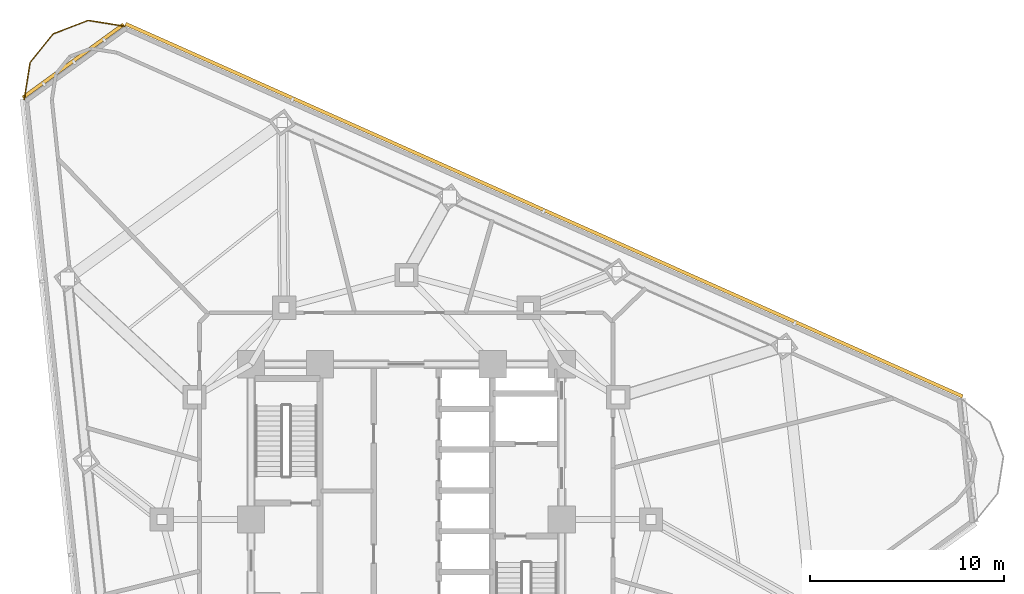
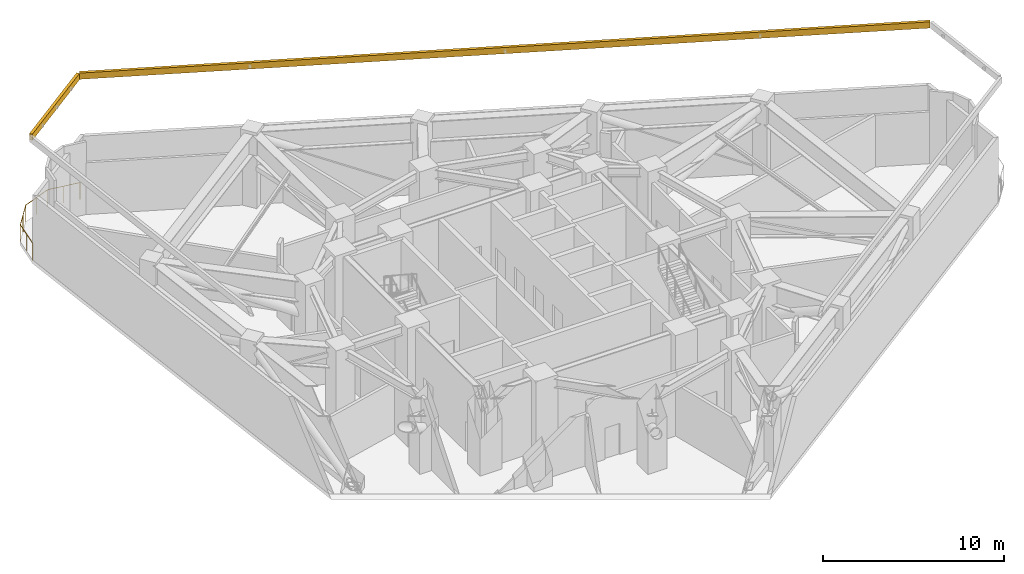
# One storey, part 10 of 10: 2 shading devices, 1 railing.
"""IFC4 building model written with IfcOpenShell, lengths in metres."""

from ifc_helpers import new_model, si_unit, direction, frame, origin, origin_2d, place, context, subcontext, project, spatial, rectangle, circle, extrude, material, layer, layer_set, type_object, element, save


model = new_model("IFC4")

# Units and contexts
model_context = context("Model", 3, precision=1e-05, world=origin(), true_north=direction((0.0, 1.0)))
body_context = subcontext(model_context, "Body", "Model", "MODEL_VIEW")
ifc_project = project(units=[si_unit("LENGTHUNIT", "METRE"), si_unit("AREAUNIT", "SQUARE_METRE"), si_unit("VOLUMEUNIT", "CUBIC_METRE"), si_unit("PLANEANGLEUNIT", "RADIAN"), si_unit("MASSUNIT", "GRAM", prefix="KILO")], contexts=[model_context])

# Site, building, storey
site_placement = place(None, origin())
site = spatial("IfcSite", under=ifc_project, at=site_placement, CompositionType="ELEMENT")
building_placement = place(site_placement, origin())
building = spatial("IfcBuilding", under=site, at=building_placement, Name="Terralouvre Media Tower", CompositionType="ELEMENT")
storey_placement = place(building_placement, frame((0.0, 0.0, 149.5)))
storey = spatial("IfcBuildingStorey", under=building, at=storey_placement, Name="L38", CompositionType="ELEMENT", Elevation=149.5)

# Shading devices
ifc_material_1 = material(Name="Extruded terracotta baguette sunshade louvres", Category="masonry")
shading_device_type = type_object("IfcShadingDeviceType", Name="Refuge Plant Acoustic Terracotta Louvre Grill TB-LV2", PredefinedType="JALOUSIE", material=ifc_material_1)
shading_device_1_placement = place(storey_placement, frame((7.095703125, 15.937255859375, 8.05810546875), z_axis=(0.0, 0.0, 1.0), x_axis=(-0.913545469547, 0.406736616337, 0.0)))
element("IfcShadingDevice", 1, at=shading_device_1_placement, inside=storey, type_object=shading_device_type, Name="CW-L38-F1 Refuge Acoustic Terracotta Louvre", PredefinedType="JALOUSIE", context=body_context, shape_type="SweptSolid", body=[
    extrude(rectangle(XDim=47.199951171875, YDim=0.179931640625, at=origin_2d()), origin(), (0.0, 0.0, 1.0), 0.419921875),
])
shading_device_2_placement = place(storey_placement, frame((-17.163818359375, 23.6240234375, 8.05810546875), z_axis=(0.0, 0.0, 1.0), x_axis=(-0.809017438344, -0.587784641221, 0.0)))
element("IfcShadingDevice", 2, at=shading_device_2_placement, inside=storey, type_object=shading_device_type, Name="CW-L38-C2 Refuge Acoustic Terracotta Louvre", PredefinedType="JALOUSIE", context=body_context, shape_type="SweptSolid", body=[
    extrude(rectangle(XDim=6.40869140625, YDim=0.179931640625, at=origin_2d()), origin(), (0.0, 0.0, 1.0), 0.419921875),
])

# Railing
ifc_material_2 = material(Name="Stainless steel 316 handrail and balustrade", Category="steel")
ifc_layer = layer(ifc_material_2, 0.06005859375, Name="Roof Edge Safety Guardrail GR-ROOF1")
ifc_layer_set = layer_set([ifc_layer], Name="Stainless steel 316 handrail and balustrade")
railing_type = type_object("IfcRailingType", Name="Roof Edge Safety Guardrail GR-ROOF1", PredefinedType="GUARDRAIL", material=ifc_layer_set)
railing_placement = place(storey_placement, frame((-14.50537109375, 25.41357421875, 0.0)))
element("IfcRailing", 3, at=railing_placement, inside=storey, type_object=railing_type, Name="L38 Wind-Corner Perimeter Safety Guardrail C2", PredefinedType="GUARDRAIL", context=body_context, shape_type="SweptSolid", body=[
    extrude(circle(Radius=0.02099609375, at=origin_2d()), frame((0.0, 0.0, 1.12890625), z_axis=(-0.987645867018, 0.156702397439, 0.0), x_axis=(-0.156702397439, -0.987645867018, 0.0)), (0.0, 0.0, 1.0), 1.914794921875),
    extrude(circle(Radius=0.02099609375, at=origin_2d()), frame((-1.89111328125, 0.300048828125, 1.12890625), z_axis=(-0.933575508152, -0.358380762009, 0.0), x_axis=(0.358380762009, -0.933575508152, 0.0)), (0.0, 0.0, 1.0), 1.914306640625),
    extrude(circle(Radius=0.02099609375, at=origin_2d()), frame((-3.67822265625, -0.385986328125, 1.12890625), z_axis=(-0.629256927844, -0.777197348658, 0.0), x_axis=(0.777197348658, -0.629256927844, 0.0)), (0.0, 0.0, 1.0), 1.914306640625),
    extrude(circle(Radius=0.02099609375, at=origin_2d()), frame((-4.8828125, -1.873779296875, 1.12890625), z_axis=(-0.156204845685, -0.987724681369, 0.0), x_axis=(0.987724681369, -0.156204845685, 0.0)), (0.0, 0.0, 1.0), 1.91455078125),
    extrude(circle(Radius=0.01904296875, at=origin_2d()), origin(), (0.0, 0.0, 1.0), 1.10791015625),
    extrude(circle(Radius=0.01904296875, at=origin_2d()), frame((-0.945556640625, 0.14990234375, 0.0)), (0.0, 0.0, 1.0), 1.10791015625),
    extrude(circle(Radius=0.01904296875, at=origin_2d()), frame((-1.89111328125, 0.300048828125, 0.0)), (0.0, 0.0, 1.0), 1.10791015625),
    extrude(circle(Radius=0.01904296875, at=origin_2d()), frame((-2.78466796875, -0.04296875, 0.0)), (0.0, 0.0, 1.0), 1.10791015625),
    extrude(circle(Radius=0.01904296875, at=origin_2d()), frame((-3.67822265625, -0.385986328125, 0.0)), (0.0, 0.0, 1.0), 1.10791015625),
    extrude(circle(Radius=0.01904296875, at=origin_2d()), frame((-4.280517578125, -1.1298828125, 0.0)), (0.0, 0.0, 1.0), 1.10791015625),
    extrude(circle(Radius=0.01904296875, at=origin_2d()), frame((-4.8828125, -1.873779296875, 0.0)), (0.0, 0.0, 1.0), 1.10791015625),
    extrude(circle(Radius=0.01904296875, at=origin_2d()), frame((-5.0322265625, -2.8193359375, 0.0)), (0.0, 0.0, 1.0), 1.10791015625),
    extrude(circle(Radius=0.01904296875, at=origin_2d()), frame((-5.181884765625, -3.764892578125, 0.0)), (0.0, 0.0, 1.0), 1.10791015625),
])

save(model, "model.ifc")
